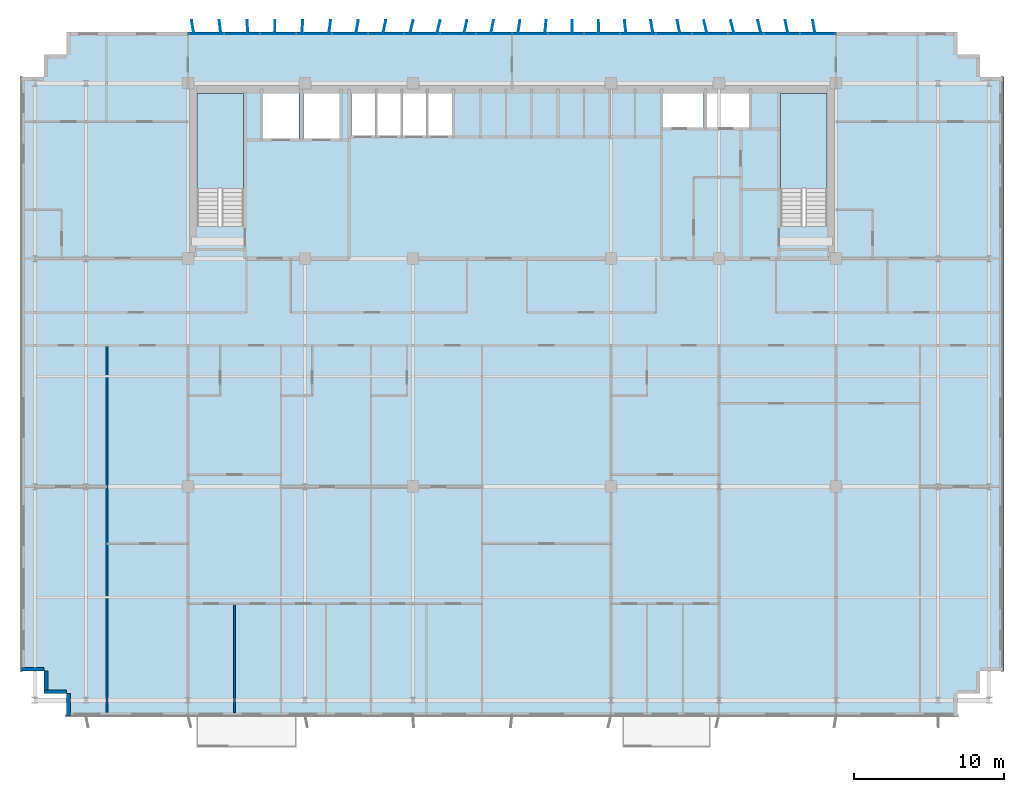
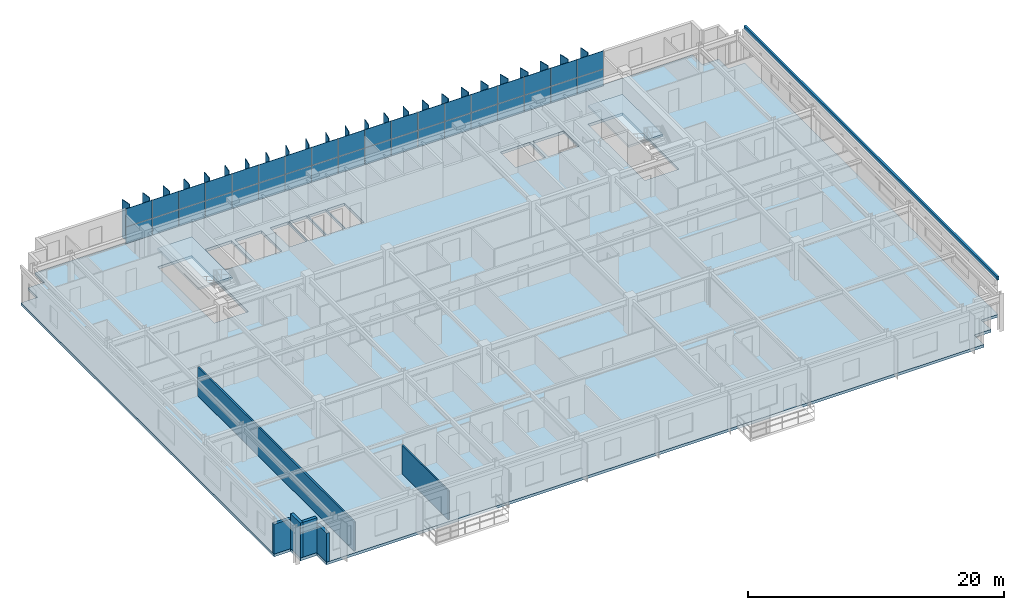
# One storey, part 13 of 22: 61 plates, 6 walls, 3 slabs, 3 elements without a shape of their own.
"""IFC4 building model written with IfcOpenShell, lengths in metres."""

from ifc_helpers import new_model, si_unit, direction, frame, frame_2d, origin, origin_2d, place, context, subcontext, project, spatial, polyline, rectangle, outline, extrude, source, transform, mapped, material, layer, layer_set, type_object, element, aggregate, save


model = new_model("IFC4")

# Units and contexts
model_context = context("Model", 3, precision=1e-05, world=origin(), true_north=direction((0.0, 1.0)))
body_context = subcontext(model_context, "Body", "Model", "MODEL_VIEW")
ifc_project = project(units=[si_unit("LENGTHUNIT", "METRE"), si_unit("AREAUNIT", "SQUARE_METRE"), si_unit("VOLUMEUNIT", "CUBIC_METRE"), si_unit("PLANEANGLEUNIT", "RADIAN"), si_unit("MASSUNIT", "GRAM", prefix="KILO")], contexts=[model_context])

# Site, building, storey
site_placement = place(None, origin())
site = spatial("IfcSite", under=ifc_project, at=site_placement, CompositionType="ELEMENT")
building_placement = place(site_placement, origin())
building = spatial("IfcBuilding", under=site, at=building_placement, Name="Trelvane Seafront Commons", CompositionType="ELEMENT")
storey_placement = place(building_placement, frame((0.0, 0.0, 117.699951171875)))
storey = spatial("IfcBuildingStorey", under=building, at=storey_placement, Name="L30", CompositionType="ELEMENT", Elevation=117.699951171875)

# Stair, slab
ifc_material_1 = material(Name="Concrete C40/50", Category="concrete")
stair_type_1 = type_object("IfcStairType", Name="ARCH-STR-ST-1-R20-180", PredefinedType="HALF_TURN_STAIR", material=ifc_material_1)
stair_1_placement = place(storey_placement, origin())
stair_1 = element("IfcStair", 1, at=stair_1_placement, inside=storey, type_object=stair_type_1, Name="L30 West Protected Firefighting Exit Stair ST-1", PredefinedType="HALF_TURN_STAIR")
ifc_layer_1 = layer(ifc_material_1, 0.199951171875, Name="ARCH-LND-200")
ifc_layer_set_1 = layer_set([ifc_layer_1], Name="Concrete C40/50")
slab_type_1 = type_object("IfcSlabType", Name="ARCH-LND-200", PredefinedType="LANDING", material=ifc_layer_set_1)
slab_1_placement = place(storey_placement, frame((0.0, 0.0, 1.60009765625)))
slab_1 = element("IfcSlab", 2, at=slab_1_placement, type_object=slab_type_1, Name="ST-1 landing 1", PredefinedType="LANDING", context=body_context, shape_type="SweptSolid", body=[
    extrude(outline(polyline([(19.300048828125, 38.070068359375), (19.300048828125, 44.39990234375), (16.199951171875, 44.39990234375), (16.199951171875, 38.070068359375), (19.300048828125, 38.070068359375)])), origin(), (0.0, 0.0, 1.0), 0.199951171875),
])
aggregate(stair_1, [slab_1])

stair_type_2 = type_object("IfcStairType", Name="ARCH-STR-ST-2-R20-180", PredefinedType="HALF_TURN_STAIR", material=ifc_material_1)
stair_2_placement = place(storey_placement, origin())
stair_2 = element("IfcStair", 3, at=stair_2_placement, inside=storey, type_object=stair_type_2, Name="L30 East Protected Firefighting Exit Stair ST-2", PredefinedType="HALF_TURN_STAIR")
slab_2_placement = place(storey_placement, frame((0.0, 0.0, 1.60009765625)))
slab_2 = element("IfcSlab", 4, at=slab_2_placement, type_object=slab_type_1, Name="ST-2 landing 1", PredefinedType="LANDING", context=body_context, shape_type="SweptSolid", body=[
    extrude(outline(polyline([(58.199951171875, 38.070068359375), (58.199951171875, 44.39990234375), (55.10009765625, 44.39990234375), (55.10009765625, 38.070068359375), (58.199951171875, 38.070068359375)])), origin(), (0.0, 0.0, 1.0), 0.199951171875),
])
aggregate(stair_2, [slab_2])

# Slab
ifc_material_2 = material(Name="Concrete C50/60", Category="concrete")
ifc_layer_2 = layer(ifc_material_2, 0.260009765625, Name="STR-SLB-Z1-260")
ifc_layer_set_2 = layer_set([ifc_layer_2], Name="Concrete C50/60")
slab_type_2 = type_object("IfcSlabType", Name="STR-SLB-Z1-260", PredefinedType="FLOOR", material=ifc_layer_set_2)
slab_3_placement = place(storey_placement, frame((0.0, 0.0, -0.260009765625)))
element("IfcSlab", 5, at=slab_3_placement, inside=storey, type_object=slab_type_2, Name="L30 Structural Floor Slab", PredefinedType="FLOOR", context=body_context, shape_type="SweptSolid", body=[
    extrude(outline(polyline([(7.5, 2.89990234375), (66.89990234375, 2.89990234375), (66.89990234375, 4.39990234375), (68.39990234375, 4.39990234375), (68.39990234375, 5.89990234375), (69.89990234375, 5.89990234375), (69.89990234375, 45.5), (68.39990234375, 45.5), (68.39990234375, 47.0), (66.89990234375, 47.0), (66.89990234375, 48.5), (7.5, 48.5), (7.5, 47.0), (6.0, 47.0), (6.0, 45.5), (4.5, 45.5), (4.5, 5.89990234375), (6.0, 5.89990234375), (6.0, 4.39990234375), (7.5, 4.39990234375), (7.5, 2.89990234375)]), holes=[polyline([(19.300048828125, 35.550048828125), (16.199951171875, 35.550048828125), (16.199951171875, 44.39990234375), (19.300048828125, 44.39990234375), (19.300048828125, 35.550048828125)]), polyline([(58.199951171875, 35.550048828125), (55.10009765625, 35.550048828125), (55.10009765625, 44.39990234375), (58.199951171875, 44.39990234375), (58.199951171875, 35.550048828125)]), polyline([(23.0, 41.39990234375), (20.60009765625, 41.39990234375), (20.60009765625, 44.60009765625), (23.0, 44.60009765625), (23.0, 41.39990234375)]), polyline([(23.300048828125, 41.39990234375), (23.300048828125, 44.60009765625), (25.699951171875, 44.60009765625), (25.699951171875, 41.39990234375), (23.300048828125, 41.39990234375)]), polyline([(26.5, 41.60009765625), (26.5, 44.60009765625), (28.1201171875, 44.60009765625), (28.1201171875, 41.60009765625), (26.5, 41.60009765625)]), polyline([(29.820068359375, 41.60009765625), (28.199951171875, 41.60009765625), (28.199951171875, 44.60009765625), (29.820068359375, 44.60009765625), (29.820068359375, 41.60009765625)]), polyline([(31.52001953125, 41.60009765625), (29.89990234375, 41.60009765625), (29.89990234375, 44.60009765625), (31.52001953125, 44.60009765625), (31.52001953125, 41.60009765625)]), polyline([(33.219970703125, 41.60009765625), (31.60009765625, 41.60009765625), (31.60009765625, 44.60009765625), (33.219970703125, 44.60009765625), (33.219970703125, 41.60009765625)]), polyline([(47.25, 42.14990234375), (47.25, 44.550048828125), (49.949951171875, 44.550048828125), (49.949951171875, 42.14990234375), (47.25, 42.14990234375)]), polyline([(50.199951171875, 42.14990234375), (50.199951171875, 44.550048828125), (53.0, 44.550048828125), (53.0, 42.14990234375), (50.199951171875, 42.14990234375)])]), origin(), (0.0, 0.0, 1.0), 0.260009765625),
])

# Plates
ifc_material_3 = material(Name="Anodised pale-silver aluminium", Category="aluminium")
ifc_layer_3 = layer(ifc_material_3, 0.06005859375, Name="ARCH-PLATE-FIN900")
ifc_layer_set_3 = layer_set([ifc_layer_3], Name="Anodised pale-silver aluminium")
plate_type_1 = type_object("IfcPlateType", Name="ARCH-PLATE-FIN900", PredefinedType="USERDEFINED", material=ifc_layer_set_3)
shared_shape_1 = source(origin(), body_context, "Body", "SweptSolid", [
    extrude(rectangle(XDim=0.89990234375, YDim=0.06005859375, at=origin_2d()), origin(), (0.0, 0.0, 1.0), 3.639892578125),
])
for number, where, z_axis, x_axis, name in (
    (6, (15.9228515625, 48.843505859375, -0.02001953125), (0.0, 0.0, 1.0), (-0.171547393876, 0.985175868388, 0.0), "FIN-L30-00779"),
    (7, (17.74658203125, 48.8466796875, -0.02001953125), (0.0, 0.0, 1.0), (-0.119000116731, 0.992894240198, 0.0), "FIN-L30-00780"),
    (8, (19.57421875, 48.84912109375, -0.02001953125), (0.0, 0.0, 1.0), (-0.057334023991, 0.998355051919, 0.0), "FIN-L30-00781"),
    (9, (21.404052734375, 48.85009765625, -0.02001953125), (0.0, 0.0, 1.0), (0.008888844823, 0.999960493438, 0.0), "FIN-L30-00782"),
    (10, (23.2333984375, 48.8486328125, -0.02001953125), (0.0, 0.0, 1.0), (0.074334757175, 0.997233344747, 0.0), "FIN-L30-00783"),
    (11, (25.060302734375, 48.845947265625, -0.02001953125), (0.0, 0.0, 1.0), (0.134107255856, 0.990966822818, 0.0), "FIN-L30-00784"),
    (12, (26.882568359375, 48.84228515625, -0.02001953125), (0.0, 0.0, 1.0), (0.183450387367, 0.983028969754, 0.0), "FIN-L30-00785"),
    (13, (28.698486328125, 48.839111328125, -0.02001953125), (0.0, 0.0, 1.0), (0.219117417881, 0.975698497068, 0.0), "FIN-L30-00786"),
    (14, (30.50732421875, 48.8369140625, -0.02001953125), (0.0, 0.0, 1.0), (0.238558881733, 0.971128034786, 0.0), "FIN-L30-00787"),
    (15, (34.101318359375, 48.83837890625, -0.02001953125), (0.0, 0.0, 1.0), (0.225110907394, 0.974333145989, 0.0), "FIN-L30-00789"),
    (16, (35.886962890625, 48.841552734375, -0.02001953125), (0.0, 0.0, 1.0), (0.193102530904, 0.981178583418, 0.0), "FIN-L30-00790"),
    (17, (37.666015625, 48.84521484375, -0.02001953125), (0.0, 0.0, 1.0), (0.14666141655, 0.989186751274, 0.0), "FIN-L30-00791"),
    (18, (39.43994140625, 48.84814453125, -0.02001953125), (0.0, 0.0, 1.0), (0.089002078361, 0.996031440291, 0.0), "FIN-L30-00792"),
    (19, (41.2109375, 48.849853515625, -0.02001953125), (0.0, 0.0, 1.0), (0.024446136616, 0.999701148546, 0.0), "FIN-L30-00793"),
    (20, (42.981201171875, 48.849609375, -0.02001953125), (0.0, 0.0, 1.0), (-0.041999463087, 0.999117633265, 0.0), "FIN-L30-00794"),
    (21, (44.752685546875, 48.847412109375, -0.02001953125), (0.0, 0.0, 1.0), (-0.105222745001, 0.994448678381, 0.0), "FIN-L30-00795"),
    (22, (46.52783203125, 48.84423828125, -0.02001953125), (0.0, 0.0, 1.0), (-0.16032567394, 0.987064171306, 0.0), "FIN-L30-00796"),
    (23, (48.30859375, 48.840576171875, -0.02001953125), (0.0, 0.0, 1.0), (-0.203226504959, 0.979131751953, 0.0), "FIN-L30-00797"),
    (24, (50.09619140625, 48.837890625, -0.02001953125), (0.0, 0.0, 1.0), (-0.230988910099, 0.972956383098, 0.0), "FIN-L30-00798"),
    (25, (51.89111328125, 48.836669921875, -0.02001953125), (0.0, 0.0, 1.0), (-0.241777946669, 0.970331605434, 0.0), "FIN-L30-00799"),
    (26, (53.694091796875, 48.83740234375, -0.02001953125), (0.0, 0.0, 1.0), (-0.234999613651, 0.971995463767, 0.0), "FIN-L30-00800"),
    (27, (55.5048828125, 48.83984375, -0.02001953125), (0.0, 0.0, 1.0), (-0.211114964344, 0.977461238019, 0.0), "FIN-L30-00801"),
    (28, (57.32275390625, 48.843505859375, -0.02001953125), (0.0, 0.0, 1.0), (-0.171547393876, 0.985175868388, 0.0), "FIN-L30-00802"),
):
    element("IfcPlate", number, at=place(storey_placement, frame(where, z_axis=z_axis, x_axis=x_axis)), inside=storey, type_object=plate_type_1, Name=name, ObjectType="FIN", PredefinedType="USERDEFINED", context=body_context, shape_type="MappedRepresentation", body=[
        mapped(shared_shape_1, transform((0.0, 0.0, 0.0), x_axis=(1.0, 0.0, 0.0), y_axis=(0.0, 1.0, 0.0), z_axis=(0.0, 0.0, 1.0), scale=1.0)),
    ])
shared_shape_2 = source(origin(), body_context, "Body", "SweptSolid", [
    extrude(rectangle(XDim=0.900146484375, YDim=0.06005859375, at=origin_2d()), origin(), (0.0, 0.0, 1.0), 3.639892578125),
])
plate_1_placement = place(storey_placement, frame((32.308349609375, 48.8369140625, -0.02001953125), z_axis=(0.0, 0.0, 1.0), x_axis=(0.2406532686, 0.970611149901, 0.0)))
element("IfcPlate", 29, at=plate_1_placement, inside=storey, type_object=plate_type_1, Name="FIN-L30-00788", ObjectType="FIN", PredefinedType="USERDEFINED", context=body_context, shape_type="MappedRepresentation", body=[
    mapped(shared_shape_2, transform((0.0, 0.0, 0.0), x_axis=(1.0, 0.0, 0.0), y_axis=(0.0, 1.0, 0.0), z_axis=(0.0, 0.0, 1.0), scale=1.0)),
])
ifc_layer_4 = layer(ifc_material_3, 0.179931640625, Name="ARCH-PLATE-AERO")
ifc_layer_set_4 = layer_set([ifc_layer_4], Name="Anodised pale-silver aluminium")
plate_type_2 = type_object("IfcPlateType", Name="ARCH-PLATE-AERO", PredefinedType="SHEET", material=ifc_layer_set_4)
shared_shape_3 = source(origin(), body_context, "Body", "SweptSolid", [
    extrude(rectangle(XDim=39.60009765625, YDim=0.179931640625, at=origin_2d()), origin(), (0.0, 0.0, 1.0), 0.340087890625),
])
plate_2_placement = place(storey_placement, frame((69.89990234375, 25.699951171875, 3.27978515625), z_axis=(0.0, 0.0, 1.0), x_axis=(0.0, -1.0, 0.0)))
element("IfcPlate", 30, at=plate_2_placement, inside=storey, type_object=plate_type_2, Name="AER-L30-00111", PredefinedType="SHEET", context=body_context, shape_type="MappedRepresentation", body=[
    mapped(shared_shape_3, transform((0.0, 0.0, 0.0), x_axis=(1.0, 0.0, 0.0), y_axis=(0.0, 1.0, 0.0), z_axis=(0.0, 0.0, 1.0), scale=1.0)),
])

# Curtain wall, plates
curtain_wall_type = type_object("IfcCurtainWallType", Name="ARCH-CW4-SKYLOBBY", PredefinedType="NOTDEFINED", material=ifc_material_3)
curtain_wall_placement = place(storey_placement, origin())
curtain_wall = element("IfcCurtainWall", 31, at=curtain_wall_placement, inside=storey, type_object=curtain_wall_type, Name="CW-L30-0055", PredefinedType="NOTDEFINED")
ifc_material_4 = material(Name="Low-E coastal double glazing", Category="glass")
ifc_layer_5 = layer(ifc_material_4, 0.033935546875, Name="ARCH-CW-GLAZ-34")
ifc_layer_set_5 = layer_set([ifc_layer_5], Name="Low-E coastal double glazing")
plate_type_3 = type_object("IfcPlateType", Name="ARCH-CW-GLAZ-34", PredefinedType="CURTAIN_PANEL", material=ifc_layer_set_5)
shared_shape_4 = source(origin(), body_context, "Body", "SweptSolid", [
    extrude(rectangle(XDim=2.3759765625, YDim=0.0400390625, at=origin_2d()), origin(), (0.0, 0.0, 1.0), 1.5849609375),
])
plate_3_placement = place(storey_placement, frame((16.800048828125, 48.3701171875, 0.0), z_axis=(0.0, 0.0, 1.0), x_axis=(1.0, 0.0, 0.0)))
plate_3 = element("IfcPlate", 32, at=plate_3_placement, type_object=plate_type_3, Name="CW-L30-0055-P00-1", PredefinedType="CURTAIN_PANEL", context=body_context, shape_type="MappedRepresentation", body=[
    mapped(shared_shape_4, transform((0.0, 0.0, 0.0), x_axis=(1.0, 0.0, 0.0), y_axis=(0.0, 1.0, 0.0), z_axis=(0.0, 0.0, 1.0), scale=1.0)),
])
plate_4_placement = place(storey_placement, frame((19.199951171875, 48.3701171875, 0.0), z_axis=(0.0, 0.0, 1.0), x_axis=(1.0, 0.0, 0.0)))
plate_4 = element("IfcPlate", 33, at=plate_4_placement, type_object=plate_type_3, Name="CW-L30-0055-P01-1", PredefinedType="CURTAIN_PANEL", context=body_context, shape_type="MappedRepresentation", body=[
    mapped(shared_shape_4, transform((0.0, 0.0, 0.0), x_axis=(1.0, 0.0, 0.0), y_axis=(0.0, 1.0, 0.0), z_axis=(0.0, 0.0, 1.0), scale=1.0)),
])
plate_5_placement = place(storey_placement, frame((21.60009765625, 48.3701171875, 0.0), z_axis=(0.0, 0.0, 1.0), x_axis=(1.0, 0.0, 0.0)))
plate_5 = element("IfcPlate", 34, at=plate_5_placement, type_object=plate_type_3, Name="CW-L30-0055-P02-1", PredefinedType="CURTAIN_PANEL", context=body_context, shape_type="MappedRepresentation", body=[
    mapped(shared_shape_4, transform((0.0, 0.0, 0.0), x_axis=(1.0, 0.0, 0.0), y_axis=(0.0, 1.0, 0.0), z_axis=(0.0, 0.0, 1.0), scale=1.0)),
])
plate_6_placement = place(storey_placement, frame((24.0, 48.3701171875, 0.0), z_axis=(0.0, 0.0, 1.0), x_axis=(1.0, 0.0, 0.0)))
plate_6 = element("IfcPlate", 35, at=plate_6_placement, type_object=plate_type_3, Name="CW-L30-0055-P03-1", PredefinedType="CURTAIN_PANEL", context=body_context, shape_type="MappedRepresentation", body=[
    mapped(shared_shape_4, transform((0.0, 0.0, 0.0), x_axis=(1.0, 0.0, 0.0), y_axis=(0.0, 1.0, 0.0), z_axis=(0.0, 0.0, 1.0), scale=1.0)),
])
plate_7_placement = place(storey_placement, frame((26.39990234375, 48.3701171875, 0.0), z_axis=(0.0, 0.0, 1.0), x_axis=(1.0, 0.0, 0.0)))
plate_7 = element("IfcPlate", 36, at=plate_7_placement, type_object=plate_type_3, Name="CW-L30-0055-P04-1", PredefinedType="CURTAIN_PANEL", context=body_context, shape_type="MappedRepresentation", body=[
    mapped(shared_shape_4, transform((0.0, 0.0, 0.0), x_axis=(1.0, 0.0, 0.0), y_axis=(0.0, 1.0, 0.0), z_axis=(0.0, 0.0, 1.0), scale=1.0)),
])
plate_8_placement = place(storey_placement, frame((28.800048828125, 48.3701171875, 0.0), z_axis=(0.0, 0.0, 1.0), x_axis=(1.0, 0.0, 0.0)))
plate_8 = element("IfcPlate", 37, at=plate_8_placement, type_object=plate_type_3, Name="CW-L30-0055-P05-1", PredefinedType="CURTAIN_PANEL", context=body_context, shape_type="MappedRepresentation", body=[
    mapped(shared_shape_4, transform((0.0, 0.0, 0.0), x_axis=(1.0, 0.0, 0.0), y_axis=(0.0, 1.0, 0.0), z_axis=(0.0, 0.0, 1.0), scale=1.0)),
])
plate_9_placement = place(storey_placement, frame((31.199951171875, 48.3701171875, 0.0), z_axis=(0.0, 0.0, 1.0), x_axis=(1.0, 0.0, 0.0)))
plate_9 = element("IfcPlate", 38, at=plate_9_placement, type_object=plate_type_3, Name="CW-L30-0055-P06-1", PredefinedType="CURTAIN_PANEL", context=body_context, shape_type="MappedRepresentation", body=[
    mapped(shared_shape_4, transform((0.0, 0.0, 0.0), x_axis=(1.0, 0.0, 0.0), y_axis=(0.0, 1.0, 0.0), z_axis=(0.0, 0.0, 1.0), scale=1.0)),
])
plate_10_placement = place(storey_placement, frame((33.60009765625, 48.3701171875, 0.0), z_axis=(0.0, 0.0, 1.0), x_axis=(1.0, 0.0, 0.0)))
plate_10 = element("IfcPlate", 39, at=plate_10_placement, type_object=plate_type_3, Name="CW-L30-0055-P07-1", PredefinedType="CURTAIN_PANEL", context=body_context, shape_type="MappedRepresentation", body=[
    mapped(shared_shape_4, transform((0.0, 0.0, 0.0), x_axis=(1.0, 0.0, 0.0), y_axis=(0.0, 1.0, 0.0), z_axis=(0.0, 0.0, 1.0), scale=1.0)),
])
plate_11_placement = place(storey_placement, frame((36.0, 48.3701171875, 0.0), z_axis=(0.0, 0.0, 1.0), x_axis=(1.0, 0.0, 0.0)))
plate_11 = element("IfcPlate", 40, at=plate_11_placement, type_object=plate_type_3, Name="CW-L30-0055-P08-1", PredefinedType="CURTAIN_PANEL", context=body_context, shape_type="MappedRepresentation", body=[
    mapped(shared_shape_4, transform((0.0, 0.0, 0.0), x_axis=(1.0, 0.0, 0.0), y_axis=(0.0, 1.0, 0.0), z_axis=(0.0, 0.0, 1.0), scale=1.0)),
])
plate_12_placement = place(storey_placement, frame((38.39990234375, 48.3701171875, 0.0), z_axis=(0.0, 0.0, 1.0), x_axis=(1.0, 0.0, 0.0)))
plate_12 = element("IfcPlate", 41, at=plate_12_placement, type_object=plate_type_3, Name="CW-L30-0055-P09-1", PredefinedType="CURTAIN_PANEL", context=body_context, shape_type="MappedRepresentation", body=[
    mapped(shared_shape_4, transform((0.0, 0.0, 0.0), x_axis=(1.0, 0.0, 0.0), y_axis=(0.0, 1.0, 0.0), z_axis=(0.0, 0.0, 1.0), scale=1.0)),
])
plate_13_placement = place(storey_placement, frame((40.800048828125, 48.3701171875, 0.0), z_axis=(0.0, 0.0, 1.0), x_axis=(1.0, 0.0, 0.0)))
plate_13 = element("IfcPlate", 42, at=plate_13_placement, type_object=plate_type_3, Name="CW-L30-0055-P10-1", PredefinedType="CURTAIN_PANEL", context=body_context, shape_type="MappedRepresentation", body=[
    mapped(shared_shape_4, transform((0.0, 0.0, 0.0), x_axis=(1.0, 0.0, 0.0), y_axis=(0.0, 1.0, 0.0), z_axis=(0.0, 0.0, 1.0), scale=1.0)),
])
plate_14_placement = place(storey_placement, frame((43.199951171875, 48.3701171875, 0.0), z_axis=(0.0, 0.0, 1.0), x_axis=(1.0, 0.0, 0.0)))
plate_14 = element("IfcPlate", 43, at=plate_14_placement, type_object=plate_type_3, Name="CW-L30-0055-P11-1", PredefinedType="CURTAIN_PANEL", context=body_context, shape_type="MappedRepresentation", body=[
    mapped(shared_shape_4, transform((0.0, 0.0, 0.0), x_axis=(1.0, 0.0, 0.0), y_axis=(0.0, 1.0, 0.0), z_axis=(0.0, 0.0, 1.0), scale=1.0)),
])
plate_15_placement = place(storey_placement, frame((45.60009765625, 48.3701171875, 0.0), z_axis=(0.0, 0.0, 1.0), x_axis=(1.0, 0.0, 0.0)))
plate_15 = element("IfcPlate", 44, at=plate_15_placement, type_object=plate_type_3, Name="CW-L30-0055-P12-1", PredefinedType="CURTAIN_PANEL", context=body_context, shape_type="MappedRepresentation", body=[
    mapped(shared_shape_4, transform((0.0, 0.0, 0.0), x_axis=(1.0, 0.0, 0.0), y_axis=(0.0, 1.0, 0.0), z_axis=(0.0, 0.0, 1.0), scale=1.0)),
])
plate_16_placement = place(storey_placement, frame((48.0, 48.3701171875, 0.0), z_axis=(0.0, 0.0, 1.0), x_axis=(1.0, 0.0, 0.0)))
plate_16 = element("IfcPlate", 45, at=plate_16_placement, type_object=plate_type_3, Name="CW-L30-0055-P13-1", PredefinedType="CURTAIN_PANEL", context=body_context, shape_type="MappedRepresentation", body=[
    mapped(shared_shape_4, transform((0.0, 0.0, 0.0), x_axis=(1.0, 0.0, 0.0), y_axis=(0.0, 1.0, 0.0), z_axis=(0.0, 0.0, 1.0), scale=1.0)),
])
plate_17_placement = place(storey_placement, frame((50.39990234375, 48.3701171875, 0.0), z_axis=(0.0, 0.0, 1.0), x_axis=(1.0, 0.0, 0.0)))
plate_17 = element("IfcPlate", 46, at=plate_17_placement, type_object=plate_type_3, Name="CW-L30-0055-P14-1", PredefinedType="CURTAIN_PANEL", context=body_context, shape_type="MappedRepresentation", body=[
    mapped(shared_shape_4, transform((0.0, 0.0, 0.0), x_axis=(1.0, 0.0, 0.0), y_axis=(0.0, 1.0, 0.0), z_axis=(0.0, 0.0, 1.0), scale=1.0)),
])
plate_18_placement = place(storey_placement, frame((52.800048828125, 48.3701171875, 0.0), z_axis=(0.0, 0.0, 1.0), x_axis=(1.0, 0.0, 0.0)))
plate_18 = element("IfcPlate", 47, at=plate_18_placement, type_object=plate_type_3, Name="CW-L30-0055-P15-1", PredefinedType="CURTAIN_PANEL", context=body_context, shape_type="MappedRepresentation", body=[
    mapped(shared_shape_4, transform((0.0, 0.0, 0.0), x_axis=(1.0, 0.0, 0.0), y_axis=(0.0, 1.0, 0.0), z_axis=(0.0, 0.0, 1.0), scale=1.0)),
])
plate_19_placement = place(storey_placement, frame((55.199951171875, 48.3701171875, 0.0), z_axis=(0.0, 0.0, 1.0), x_axis=(1.0, 0.0, 0.0)))
plate_19 = element("IfcPlate", 48, at=plate_19_placement, type_object=plate_type_3, Name="CW-L30-0055-P16-1", PredefinedType="CURTAIN_PANEL", context=body_context, shape_type="MappedRepresentation", body=[
    mapped(shared_shape_4, transform((0.0, 0.0, 0.0), x_axis=(1.0, 0.0, 0.0), y_axis=(0.0, 1.0, 0.0), z_axis=(0.0, 0.0, 1.0), scale=1.0)),
])
plate_20_placement = place(storey_placement, frame((57.60009765625, 48.3701171875, 0.0), z_axis=(0.0, 0.0, 1.0), x_axis=(1.0, 0.0, 0.0)))
plate_20 = element("IfcPlate", 49, at=plate_20_placement, type_object=plate_type_3, Name="CW-L30-0055-P17-1", PredefinedType="CURTAIN_PANEL", context=body_context, shape_type="MappedRepresentation", body=[
    mapped(shared_shape_4, transform((0.0, 0.0, 0.0), x_axis=(1.0, 0.0, 0.0), y_axis=(0.0, 1.0, 0.0), z_axis=(0.0, 0.0, 1.0), scale=1.0)),
])
shared_shape_5 = source(origin(), body_context, "Body", "SweptSolid", [
    extrude(rectangle(XDim=2.3759765625, YDim=0.0400390625, at=origin_2d()), origin(), (0.0, 0.0, 1.0), 1.718994140625),
])
plate_21_placement = place(storey_placement, frame((16.800048828125, 48.3701171875, 1.62109375), z_axis=(0.0, 0.0, 1.0), x_axis=(1.0, 0.0, 0.0)))
plate_21 = element("IfcPlate", 50, at=plate_21_placement, type_object=plate_type_3, Name="CW-L30-0055-P00-2", PredefinedType="CURTAIN_PANEL", context=body_context, shape_type="MappedRepresentation", body=[
    mapped(shared_shape_5, transform((0.0, 0.0, 0.0), x_axis=(1.0, 0.0, 0.0), y_axis=(0.0, 1.0, 0.0), z_axis=(0.0, 0.0, 1.0), scale=1.0)),
])
plate_22_placement = place(storey_placement, frame((19.199951171875, 48.3701171875, 1.62109375), z_axis=(0.0, 0.0, 1.0), x_axis=(1.0, 0.0, 0.0)))
plate_22 = element("IfcPlate", 51, at=plate_22_placement, type_object=plate_type_3, Name="CW-L30-0055-P01-2", PredefinedType="CURTAIN_PANEL", context=body_context, shape_type="MappedRepresentation", body=[
    mapped(shared_shape_5, transform((0.0, 0.0, 0.0), x_axis=(1.0, 0.0, 0.0), y_axis=(0.0, 1.0, 0.0), z_axis=(0.0, 0.0, 1.0), scale=1.0)),
])
plate_23_placement = place(storey_placement, frame((21.60009765625, 48.3701171875, 1.62109375), z_axis=(0.0, 0.0, 1.0), x_axis=(1.0, 0.0, 0.0)))
plate_23 = element("IfcPlate", 52, at=plate_23_placement, type_object=plate_type_3, Name="CW-L30-0055-P02-2", PredefinedType="CURTAIN_PANEL", context=body_context, shape_type="MappedRepresentation", body=[
    mapped(shared_shape_5, transform((0.0, 0.0, 0.0), x_axis=(1.0, 0.0, 0.0), y_axis=(0.0, 1.0, 0.0), z_axis=(0.0, 0.0, 1.0), scale=1.0)),
])
plate_24_placement = place(storey_placement, frame((24.0, 48.3701171875, 1.62109375), z_axis=(0.0, 0.0, 1.0), x_axis=(1.0, 0.0, 0.0)))
plate_24 = element("IfcPlate", 53, at=plate_24_placement, type_object=plate_type_3, Name="CW-L30-0055-P03-2", PredefinedType="CURTAIN_PANEL", context=body_context, shape_type="MappedRepresentation", body=[
    mapped(shared_shape_5, transform((0.0, 0.0, 0.0), x_axis=(1.0, 0.0, 0.0), y_axis=(0.0, 1.0, 0.0), z_axis=(0.0, 0.0, 1.0), scale=1.0)),
])
plate_25_placement = place(storey_placement, frame((26.39990234375, 48.3701171875, 1.62109375), z_axis=(0.0, 0.0, 1.0), x_axis=(1.0, 0.0, 0.0)))
plate_25 = element("IfcPlate", 54, at=plate_25_placement, type_object=plate_type_3, Name="CW-L30-0055-P04-2", PredefinedType="CURTAIN_PANEL", context=body_context, shape_type="MappedRepresentation", body=[
    mapped(shared_shape_5, transform((0.0, 0.0, 0.0), x_axis=(1.0, 0.0, 0.0), y_axis=(0.0, 1.0, 0.0), z_axis=(0.0, 0.0, 1.0), scale=1.0)),
])
plate_26_placement = place(storey_placement, frame((28.800048828125, 48.3701171875, 1.62109375), z_axis=(0.0, 0.0, 1.0), x_axis=(1.0, 0.0, 0.0)))
plate_26 = element("IfcPlate", 55, at=plate_26_placement, type_object=plate_type_3, Name="CW-L30-0055-P05-2", PredefinedType="CURTAIN_PANEL", context=body_context, shape_type="MappedRepresentation", body=[
    mapped(shared_shape_5, transform((0.0, 0.0, 0.0), x_axis=(1.0, 0.0, 0.0), y_axis=(0.0, 1.0, 0.0), z_axis=(0.0, 0.0, 1.0), scale=1.0)),
])
plate_27_placement = place(storey_placement, frame((31.199951171875, 48.3701171875, 1.62109375), z_axis=(0.0, 0.0, 1.0), x_axis=(1.0, 0.0, 0.0)))
plate_27 = element("IfcPlate", 56, at=plate_27_placement, type_object=plate_type_3, Name="CW-L30-0055-P06-2", PredefinedType="CURTAIN_PANEL", context=body_context, shape_type="MappedRepresentation", body=[
    mapped(shared_shape_5, transform((0.0, 0.0, 0.0), x_axis=(1.0, 0.0, 0.0), y_axis=(0.0, 1.0, 0.0), z_axis=(0.0, 0.0, 1.0), scale=1.0)),
])
plate_28_placement = place(storey_placement, frame((33.60009765625, 48.3701171875, 1.62109375), z_axis=(0.0, 0.0, 1.0), x_axis=(1.0, 0.0, 0.0)))
plate_28 = element("IfcPlate", 57, at=plate_28_placement, type_object=plate_type_3, Name="CW-L30-0055-P07-2", PredefinedType="CURTAIN_PANEL", context=body_context, shape_type="MappedRepresentation", body=[
    mapped(shared_shape_5, transform((0.0, 0.0, 0.0), x_axis=(1.0, 0.0, 0.0), y_axis=(0.0, 1.0, 0.0), z_axis=(0.0, 0.0, 1.0), scale=1.0)),
])
plate_29_placement = place(storey_placement, frame((36.0, 48.3701171875, 1.62109375), z_axis=(0.0, 0.0, 1.0), x_axis=(1.0, 0.0, 0.0)))
plate_29 = element("IfcPlate", 58, at=plate_29_placement, type_object=plate_type_3, Name="CW-L30-0055-P08-2", PredefinedType="CURTAIN_PANEL", context=body_context, shape_type="MappedRepresentation", body=[
    mapped(shared_shape_5, transform((0.0, 0.0, 0.0), x_axis=(1.0, 0.0, 0.0), y_axis=(0.0, 1.0, 0.0), z_axis=(0.0, 0.0, 1.0), scale=1.0)),
])
plate_30_placement = place(storey_placement, frame((38.39990234375, 48.3701171875, 1.62109375), z_axis=(0.0, 0.0, 1.0), x_axis=(1.0, 0.0, 0.0)))
plate_30 = element("IfcPlate", 59, at=plate_30_placement, type_object=plate_type_3, Name="CW-L30-0055-P09-2", PredefinedType="CURTAIN_PANEL", context=body_context, shape_type="MappedRepresentation", body=[
    mapped(shared_shape_5, transform((0.0, 0.0, 0.0), x_axis=(1.0, 0.0, 0.0), y_axis=(0.0, 1.0, 0.0), z_axis=(0.0, 0.0, 1.0), scale=1.0)),
])
plate_31_placement = place(storey_placement, frame((40.800048828125, 48.3701171875, 1.62109375), z_axis=(0.0, 0.0, 1.0), x_axis=(1.0, 0.0, 0.0)))
plate_31 = element("IfcPlate", 60, at=plate_31_placement, type_object=plate_type_3, Name="CW-L30-0055-P10-2", PredefinedType="CURTAIN_PANEL", context=body_context, shape_type="MappedRepresentation", body=[
    mapped(shared_shape_5, transform((0.0, 0.0, 0.0), x_axis=(1.0, 0.0, 0.0), y_axis=(0.0, 1.0, 0.0), z_axis=(0.0, 0.0, 1.0), scale=1.0)),
])
plate_32_placement = place(storey_placement, frame((43.199951171875, 48.3701171875, 1.62109375), z_axis=(0.0, 0.0, 1.0), x_axis=(1.0, 0.0, 0.0)))
plate_32 = element("IfcPlate", 61, at=plate_32_placement, type_object=plate_type_3, Name="CW-L30-0055-P11-2", PredefinedType="CURTAIN_PANEL", context=body_context, shape_type="MappedRepresentation", body=[
    mapped(shared_shape_5, transform((0.0, 0.0, 0.0), x_axis=(1.0, 0.0, 0.0), y_axis=(0.0, 1.0, 0.0), z_axis=(0.0, 0.0, 1.0), scale=1.0)),
])
plate_33_placement = place(storey_placement, frame((45.60009765625, 48.3701171875, 1.62109375), z_axis=(0.0, 0.0, 1.0), x_axis=(1.0, 0.0, 0.0)))
plate_33 = element("IfcPlate", 62, at=plate_33_placement, type_object=plate_type_3, Name="CW-L30-0055-P12-2", PredefinedType="CURTAIN_PANEL", context=body_context, shape_type="MappedRepresentation", body=[
    mapped(shared_shape_5, transform((0.0, 0.0, 0.0), x_axis=(1.0, 0.0, 0.0), y_axis=(0.0, 1.0, 0.0), z_axis=(0.0, 0.0, 1.0), scale=1.0)),
])
plate_34_placement = place(storey_placement, frame((48.0, 48.3701171875, 1.62109375), z_axis=(0.0, 0.0, 1.0), x_axis=(1.0, 0.0, 0.0)))
plate_34 = element("IfcPlate", 63, at=plate_34_placement, type_object=plate_type_3, Name="CW-L30-0055-P13-2", PredefinedType="CURTAIN_PANEL", context=body_context, shape_type="MappedRepresentation", body=[
    mapped(shared_shape_5, transform((0.0, 0.0, 0.0), x_axis=(1.0, 0.0, 0.0), y_axis=(0.0, 1.0, 0.0), z_axis=(0.0, 0.0, 1.0), scale=1.0)),
])
plate_35_placement = place(storey_placement, frame((50.39990234375, 48.3701171875, 1.62109375), z_axis=(0.0, 0.0, 1.0), x_axis=(1.0, 0.0, 0.0)))
plate_35 = element("IfcPlate", 64, at=plate_35_placement, type_object=plate_type_3, Name="CW-L30-0055-P14-2", PredefinedType="CURTAIN_PANEL", context=body_context, shape_type="MappedRepresentation", body=[
    mapped(shared_shape_5, transform((0.0, 0.0, 0.0), x_axis=(1.0, 0.0, 0.0), y_axis=(0.0, 1.0, 0.0), z_axis=(0.0, 0.0, 1.0), scale=1.0)),
])
plate_36_placement = place(storey_placement, frame((52.800048828125, 48.3701171875, 1.62109375), z_axis=(0.0, 0.0, 1.0), x_axis=(1.0, 0.0, 0.0)))
plate_36 = element("IfcPlate", 65, at=plate_36_placement, type_object=plate_type_3, Name="CW-L30-0055-P15-2", PredefinedType="CURTAIN_PANEL", context=body_context, shape_type="MappedRepresentation", body=[
    mapped(shared_shape_5, transform((0.0, 0.0, 0.0), x_axis=(1.0, 0.0, 0.0), y_axis=(0.0, 1.0, 0.0), z_axis=(0.0, 0.0, 1.0), scale=1.0)),
])
plate_37_placement = place(storey_placement, frame((55.199951171875, 48.3701171875, 1.62109375), z_axis=(0.0, 0.0, 1.0), x_axis=(1.0, 0.0, 0.0)))
plate_37 = element("IfcPlate", 66, at=plate_37_placement, type_object=plate_type_3, Name="CW-L30-0055-P16-2", PredefinedType="CURTAIN_PANEL", context=body_context, shape_type="MappedRepresentation", body=[
    mapped(shared_shape_5, transform((0.0, 0.0, 0.0), x_axis=(1.0, 0.0, 0.0), y_axis=(0.0, 1.0, 0.0), z_axis=(0.0, 0.0, 1.0), scale=1.0)),
])
plate_38_placement = place(storey_placement, frame((57.60009765625, 48.3701171875, 1.62109375), z_axis=(0.0, 0.0, 1.0), x_axis=(1.0, 0.0, 0.0)))
plate_38 = element("IfcPlate", 67, at=plate_38_placement, type_object=plate_type_3, Name="CW-L30-0055-P17-2", PredefinedType="CURTAIN_PANEL", context=body_context, shape_type="MappedRepresentation", body=[
    mapped(shared_shape_5, transform((0.0, 0.0, 0.0), x_axis=(1.0, 0.0, 0.0), y_axis=(0.0, 1.0, 0.0), z_axis=(0.0, 0.0, 1.0), scale=1.0)),
])
aggregate(curtain_wall, [plate_3, plate_21, plate_4, plate_22, plate_5, plate_23, plate_6, plate_24, plate_7, plate_25, plate_8, plate_26, plate_9, plate_27, plate_10, plate_28, plate_11, plate_29, plate_12, plate_30, plate_13, plate_31, plate_14, plate_32, plate_15, plate_33, plate_16, plate_34, plate_17, plate_35, plate_18, plate_36, plate_19, plate_37, plate_20, plate_38])

# Walls
ifc_material_5 = material(Name="Precast concrete C40/50", Category="concrete")
ifc_layer_6 = layer(ifc_material_5, 0.260009765625, Name="ARCH-WALL-EXT260")
ifc_layer_set_6 = layer_set([ifc_layer_6], Name="Precast concrete C40/50")
wall_type_1 = type_object("IfcWallType", Name="ARCH-WALL-EXT260", PredefinedType="SOLIDWALL", material=ifc_layer_set_6)
for number, where, z_axis, x_axis, name in (
    (68, (7.5, 4.530029296875, 0.0), (0.0, 0.0, 1.0), (-1.0, 0.0, 0.0), "EW-L30-00561"),
    (69, (6.1298828125, 4.39990234375, 0.0), (0.0, 0.0, 1.0), (0.0, 1.0, 0.0), "EW-L30-00562"),
):
    element("IfcWall", number, at=place(storey_placement, frame(where, z_axis=z_axis, x_axis=x_axis)), inside=storey, type_object=wall_type_1, Name=name, PredefinedType="SOLIDWALL", context=body_context, shape_type="SweptSolid", body=[
        extrude(rectangle(XDim=1.5, YDim=0.260009765625, at=frame_2d((0.75, 0.0))), origin(), (0.0, 0.0, 1.0), 3.340087890625),
    ])
wall_1_placement = place(storey_placement, frame((6.0, 6.030029296875, 0.0), z_axis=(0.0, 0.0, 1.0), x_axis=(-1.0, 0.0, 0.0)))
element("IfcWall", 70, at=wall_1_placement, inside=storey, type_object=wall_type_1, Name="EW-L30-00563", PredefinedType="SOLIDWALL", context=body_context, shape_type="SweptSolid", body=[
    extrude(rectangle(XDim=1.5, YDim=0.260009765625, at=frame_2d((0.75, 0.0))), origin(), (0.0, 0.0, 1.0), 2.840087890625),
])
wall_2_placement = place(storey_placement, frame((7.6298828125, 2.89990234375, 0.0), z_axis=(0.0, 0.0, 1.0), x_axis=(0.0, 1.0, 0.0)))
element("IfcWall", 71, at=wall_2_placement, inside=storey, type_object=wall_type_1, Name="EW-L30-00579", PredefinedType="SOLIDWALL", context=body_context, shape_type="SweptSolid", body=[
    extrude(rectangle(XDim=1.5, YDim=0.260009765625, at=frame_2d((0.75, 0.0))), origin(), (0.0, 0.0, 1.0), 2.751953125),
])
ifc_material_6 = material(Name="Gypsum Drywall Acoustic Partition")
ifc_layer_7 = layer(ifc_material_6, 0.1201171875, Name="ARCH-WALL-PART120")
ifc_layer_set_7 = layer_set([ifc_layer_7], Name="Gypsum Drywall Acoustic Partition")
wall_type_2 = type_object("IfcWallType", Name="ARCH-WALL-PART120", PredefinedType="PARTITIONING", material=ifc_layer_set_7)
wall_3_placement = place(storey_placement, frame((18.699951171875, 3.14501953125, 0.0), z_axis=(0.0, 0.0, 1.0), x_axis=(0.0, 1.0, 0.0)))
element("IfcWall", 72, at=wall_3_placement, inside=storey, type_object=wall_type_2, Name="W-L30-U3-BDV-1-083", PredefinedType="PARTITIONING", context=body_context, shape_type="SweptSolid", body=[
    extrude(rectangle(XDim=7.2548828125, YDim=0.1201171875, at=frame_2d((3.62744140625, 0.0))), origin(), (0.0, 0.0, 1.0), 2.751953125),
])
ifc_layer_8 = layer(ifc_material_6, 0.14990234375, Name="ARCH-WALL-PART150")
ifc_layer_set_8 = layer_set([ifc_layer_8], Name="Gypsum Drywall Acoustic Partition")
wall_type_3 = type_object("IfcWallType", Name="ARCH-WALL-PART150", PredefinedType="PARTITIONING", material=ifc_layer_set_8)
wall_4_placement = place(storey_placement, frame((10.199951171875, 3.14501953125, 0.0), z_axis=(0.0, 0.0, 1.0), x_axis=(0.0, 1.0, 0.0)))
element("IfcWall", 73, at=wall_4_placement, inside=storey, type_object=wall_type_3, Name="W-L30-PW-1-064", PredefinedType="PARTITIONING", context=body_context, shape_type="SweptSolid", body=[
    extrude(rectangle(XDim=24.455078125, YDim=0.14990234375, at=frame_2d((12.2275390625, 0.0))), origin(), (0.0, 0.0, 1.0), 2.751953125),
])

save(model, "model.ifc")
